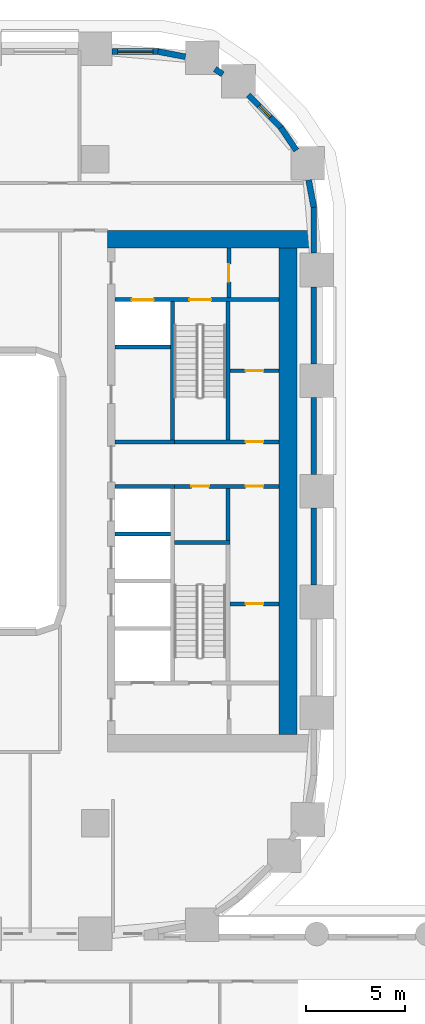
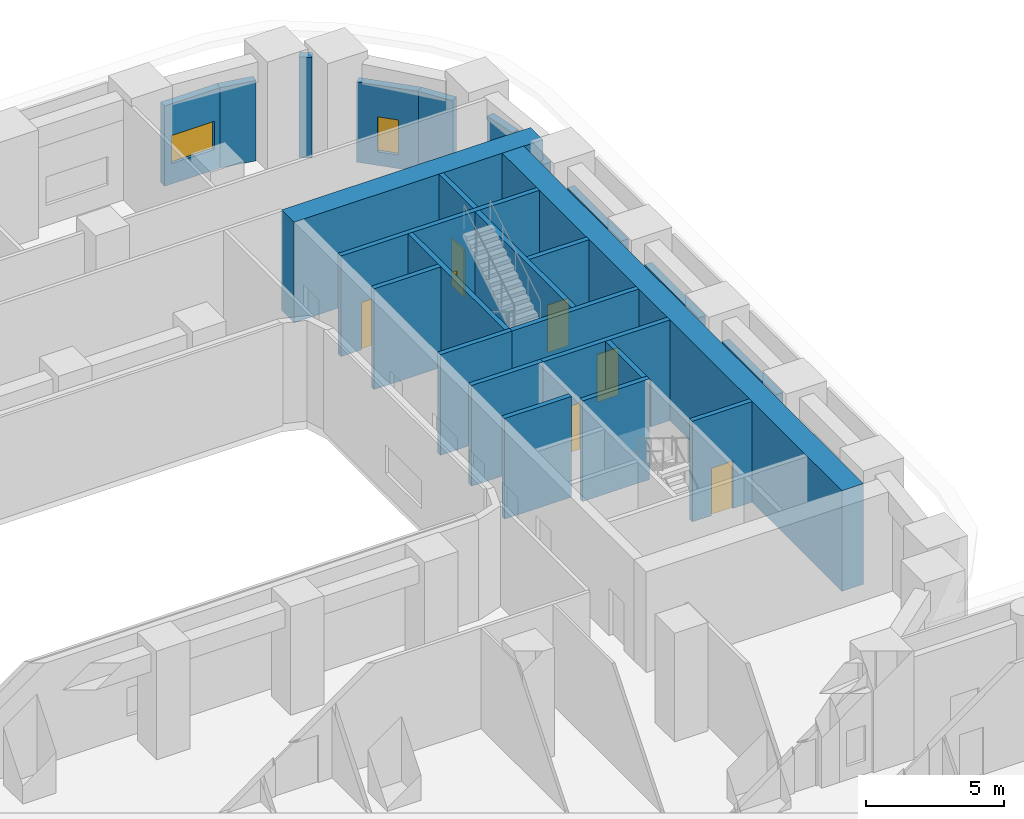
# One storey, part 15 of 27: 26 walls, 8 doors, 2 windows, 10 openings.
"""IFC4 building model written with IfcOpenShell, lengths in metres."""

from ifc_helpers import new_model, si_unit, direction, frame, frame_2d, origin, place, context, subcontext, project, spatial, rectangle, extrude, material, layer, layer_set, type_object, element, fill, save


model = new_model("IFC4")

# Units and contexts
model_context = context("Model", 3, precision=1e-05, world=origin(), true_north=direction((0.0, 1.0)))
body_context = subcontext(model_context, "Body", "Model", "MODEL_VIEW")
ifc_project = project(units=[si_unit("LENGTHUNIT", "METRE"), si_unit("AREAUNIT", "SQUARE_METRE"), si_unit("VOLUMEUNIT", "CUBIC_METRE"), si_unit("PLANEANGLEUNIT", "RADIAN"), si_unit("MASSUNIT", "GRAM", prefix="KILO")], contexts=[model_context])

# Site, building, storey
site_placement = place(None, origin())
site = spatial("IfcSite", under=ifc_project, at=site_placement, CompositionType="ELEMENT")
building_placement = place(site_placement, origin())
building = spatial("IfcBuilding", under=site, at=building_placement, Name="Kiln Ring Residences", CompositionType="ELEMENT")
storey_placement = place(building_placement, frame((0.0, 0.0, 6.5)))
storey = spatial("IfcBuildingStorey", under=building, at=storey_placement, Name="L01", CompositionType="ELEMENT", Elevation=6.5)

# Wall
ifc_material_1 = material(Name="Gypsum board on steel studs", Category="steel")
ifc_layer_1 = layer(ifc_material_1, 0.199951171875)
ifc_layer_set_1 = layer_set([ifc_layer_1], Name="CORE-PARTITION-200")
wall_type_1 = type_object("IfcWallType", Name="CORE-PARTITION-200", PredefinedType="PARTITIONING", material=ifc_layer_set_1)
wall_1_placement = place(storey_placement, frame((23.5, -2.5, 0.0), z_axis=(0.0, 0.0, 1.0), x_axis=(0.0, 1.0, 0.0)))
element("IfcWall", 1, at=wall_1_placement, inside=storey, type_object=wall_type_1, Name="Core partition east L01 1", PredefinedType="PARTITIONING", context=body_context, shape_type="SweptSolid", body=[
    extrude(rectangle(XDim=2.64990234375, YDim=0.199951171875, at=frame_2d((1.324951171875, 0.0))), origin(), (0.0, 0.0, 1.0), 4.449951171875),
])

# Wall, openings, doors
wall_2_placement = place(storey_placement, frame((20.800048828125, 0.25, 0.0), z_axis=(0.0, 0.0, 1.0), x_axis=(1.0, 0.0, 0.0)))
wall_2 = element("IfcWall", 2, at=wall_2_placement, inside=storey, type_object=wall_type_1, Name="Core partition east L01 2", PredefinedType="PARTITIONING", context=body_context, shape_type="SweptSolid", body=[
    extrude(rectangle(XDim=5.300048828125, YDim=0.199951171875, at=frame_2d((2.64990234375, 0.0))), origin(), (0.0, 0.0, 1.0), 4.449951171875),
])
opening_1_placement = place(wall_2_placement, frame((0.85009765625, 0.0, 0.0)))
opening_1 = element("IfcOpeningElement", 3, at=opening_1_placement, cuts=wall_2, Name="Opening L01-CE14", PredefinedType="OPENING", context=body_context, shape_type="SweptSolid", body=[
    extrude(rectangle(XDim=0.89990234375, YDim=2.10009765625, at=frame_2d((0.449951171875, 1.050048828125))), frame((0.0, 0.10986328125, 0.0), z_axis=(0.0, -1.0, 0.0), x_axis=(1.0, 0.0, 0.0)), (0.0, 0.0, 1.0), 0.219970703125),
])
opening_2_placement = place(wall_2_placement, frame((3.60009765625, 0.0, 0.0)))
opening_2 = element("IfcOpeningElement", 4, at=opening_2_placement, cuts=wall_2, Name="Opening L01-CE16", PredefinedType="OPENING", context=body_context, shape_type="SweptSolid", body=[
    extrude(rectangle(XDim=0.89990234375, YDim=2.10009765625, at=frame_2d((0.449951171875, 1.050048828125))), frame((0.0, 0.10986328125, 0.0), z_axis=(0.0, -1.0, 0.0), x_axis=(1.0, 0.0, 0.0)), (0.0, 0.0, 1.0), 0.219970703125),
])
ifc_material_2 = material(Name="Steel door leaf", Category="steel")
door_type_1 = type_object("IfcDoorType", Name="CORE-DOOR-ROOM", OperationType="SINGLE_SWING_LEFT", PredefinedType="DOOR", material=ifc_material_2)
door_1_placement = place(opening_1_placement, origin())
door_1 = element("IfcDoor", 5, at=door_1_placement, inside=storey, type_object=door_type_1, Name="Housekeeping store L01-CE14", OperationType="SINGLE_SWING_LEFT", OverallHeight=2.10009765625, OverallWidth=0.89990234375, PredefinedType="DOOR", context=body_context, shape_type="SweptSolid", body=[
    extrude(rectangle(XDim=0.89990234375, YDim=2.10009765625, at=frame_2d((0.449951171875, 1.050048828125))), frame((0.0, 0.02490234375, 0.0), z_axis=(0.0, -1.0, 0.0), x_axis=(1.0, 0.0, 0.0)), (0.0, 0.0, 1.0), 0.050048828125),
])
fill(opening_1, door_1)
door_2_placement = place(opening_2_placement, origin())
door_2 = element("IfcDoor", 6, at=door_2_placement, inside=storey, type_object=door_type_1, Name="Battery room L01-CE16", OperationType="SINGLE_SWING_LEFT", OverallHeight=2.10009765625, OverallWidth=0.89990234375, PredefinedType="DOOR", context=body_context, shape_type="SweptSolid", body=[
    extrude(rectangle(XDim=0.89990234375, YDim=2.10009765625, at=frame_2d((0.449951171875, 1.050048828125))), frame((0.0, 0.02490234375, 0.0), z_axis=(0.0, -1.0, 0.0), x_axis=(1.0, 0.0, 0.0)), (0.0, 0.0, 1.0), 0.050048828125),
])
fill(opening_2, door_2)

# Wall, opening, door
wall_3_placement = place(storey_placement, frame((23.550048828125, 9.800048828125, 0.0), z_axis=(0.0, 0.0, 1.0), x_axis=(0.0, 1.0, 0.0)))
wall_3 = element("IfcWall", 7, at=wall_3_placement, inside=storey, type_object=wall_type_1, Name="Core partition east L01 3", PredefinedType="PARTITIONING", context=body_context, shape_type="SweptSolid", body=[
    extrude(rectangle(XDim=2.5, YDim=0.199951171875, at=frame_2d((1.25, 0.0))), origin(), (0.0, 0.0, 1.0), 4.449951171875),
])
opening_3_placement = place(wall_3_placement, frame((0.800048828125, 0.0, 0.0)))
opening_3 = element("IfcOpeningElement", 8, at=opening_3_placement, cuts=wall_3, Name="Opening L01-CE09", PredefinedType="OPENING", context=body_context, shape_type="SweptSolid", body=[
    extrude(rectangle(XDim=0.89990234375, YDim=2.10009765625, at=frame_2d((0.449951171875, 1.050048828125))), frame((0.0, 0.10986328125, 0.0), z_axis=(0.0, -1.0, 0.0), x_axis=(1.0, 0.0, 0.0)), (0.0, 0.0, 1.0), 0.219970703125),
])
door_3_placement = place(opening_3_placement, origin())
door_3 = element("IfcDoor", 9, at=door_3_placement, inside=storey, type_object=door_type_1, Name="Fire riser room L01-CE09", OperationType="SINGLE_SWING_RIGHT", OverallHeight=2.10009765625, OverallWidth=0.89990234375, PredefinedType="DOOR", context=body_context, shape_type="SweptSolid", body=[
    extrude(rectangle(XDim=0.89990234375, YDim=2.10009765625, at=frame_2d((0.449951171875, 1.050048828125))), frame((0.0, 0.02490234375, 0.0), z_axis=(0.0, -1.0, 0.0), x_axis=(1.0, 0.0, 0.0)), (0.0, 0.0, 1.0), 0.050048828125),
])
fill(opening_3, door_3)

wall_4_placement = place(storey_placement, frame((23.60009765625, -5.699951171875, 0.0), z_axis=(0.0, 0.0, 1.0), x_axis=(1.0, 0.0, 0.0)))
wall_4 = element("IfcWall", 10, at=wall_4_placement, inside=storey, type_object=wall_type_1, Name="Core partition east L01 5", PredefinedType="PARTITIONING", context=body_context, shape_type="SweptSolid", body=[
    extrude(rectangle(XDim=2.5, YDim=0.199951171875, at=frame_2d((1.25, 0.0))), origin(), (0.0, 0.0, 1.0), 4.449951171875),
])
opening_4_placement = place(wall_4_placement, frame((0.800048828125, 0.0, 0.0)))
opening_4 = element("IfcOpeningElement", 11, at=opening_4_placement, cuts=wall_4, Name="Opening L01-CE15", PredefinedType="OPENING", context=body_context, shape_type="SweptSolid", body=[
    extrude(rectangle(XDim=0.89990234375, YDim=2.10009765625, at=frame_2d((0.449951171875, 1.050048828125))), frame((0.0, 0.10986328125, 0.0), z_axis=(0.0, -1.0, 0.0), x_axis=(1.0, 0.0, 0.0)), (0.0, 0.0, 1.0), 0.219970703125),
])
door_4_placement = place(opening_4_placement, origin())
door_4 = element("IfcDoor", 12, at=door_4_placement, inside=storey, type_object=door_type_1, Name="Battery room L01-CE15", OperationType="SINGLE_SWING_LEFT", OverallHeight=2.10009765625, OverallWidth=0.89990234375, PredefinedType="DOOR", context=body_context, shape_type="SweptSolid", body=[
    extrude(rectangle(XDim=0.89990234375, YDim=2.10009765625, at=frame_2d((0.449951171875, 1.050048828125))), frame((0.0, 0.02490234375, 0.0), z_axis=(0.0, -1.0, 0.0), x_axis=(1.0, 0.0, 0.0)), (0.0, 0.0, 1.0), 0.050048828125),
])
fill(opening_4, door_4)

wall_5_placement = place(storey_placement, frame((23.60009765625, 6.10009765625, 0.0), z_axis=(0.0, 0.0, 1.0), x_axis=(1.0, 0.0, 0.0)))
wall_5 = element("IfcWall", 13, at=wall_5_placement, inside=storey, type_object=wall_type_1, Name="Core partition east L01 6", PredefinedType="PARTITIONING", context=body_context, shape_type="SweptSolid", body=[
    extrude(rectangle(XDim=2.5, YDim=0.199951171875, at=frame_2d((1.25, 0.0))), origin(), (0.0, 0.0, 1.0), 4.449951171875),
])
opening_5_placement = place(wall_5_placement, frame((0.800048828125, 0.0, 0.0)))
opening_5 = element("IfcOpeningElement", 14, at=opening_5_placement, cuts=wall_5, Name="Opening L01-CE17", PredefinedType="OPENING", context=body_context, shape_type="SweptSolid", body=[
    extrude(rectangle(XDim=0.89990234375, YDim=2.10009765625, at=frame_2d((0.449951171875, 1.050048828125))), frame((0.0, 0.10986328125, 0.0), z_axis=(0.0, -1.0, 0.0), x_axis=(1.0, 0.0, 0.0)), (0.0, 0.0, 1.0), 0.219970703125),
])
door_5_placement = place(opening_5_placement, origin())
door_5 = element("IfcDoor", 15, at=door_5_placement, inside=storey, type_object=door_type_1, Name="Electrical plant room L01-CE17", OperationType="SINGLE_SWING_LEFT", OverallHeight=2.10009765625, OverallWidth=0.89990234375, PredefinedType="DOOR", context=body_context, shape_type="SweptSolid", body=[
    extrude(rectangle(XDim=0.89990234375, YDim=2.10009765625, at=frame_2d((0.449951171875, 1.050048828125))), frame((0.0, 0.02490234375, 0.0), z_axis=(0.0, -1.0, 0.0), x_axis=(1.0, 0.0, 0.0)), (0.0, 0.0, 1.0), 0.050048828125),
])
fill(opening_5, door_5)

# Walls
ifc_material_3 = material(Name="Gypsum shaft wall system")
ifc_layer_2 = layer(ifc_material_3, 0.199951171875)
ifc_layer_set_2 = layer_set([ifc_layer_2], Name="CORE-SHAFT-WALL-200")
wall_type_2 = type_object("IfcWallType", Name="CORE-SHAFT-WALL-200", PredefinedType="PARTITIONING", material=ifc_layer_set_2)
wall_6_placement = place(storey_placement, frame((17.800048828125, -2.14990234375, 0.0), z_axis=(0.0, 0.0, 1.0), x_axis=(1.0, 0.0, 0.0)))
element("IfcWall", 16, at=wall_6_placement, inside=storey, type_object=wall_type_2, Name="Core partition east L01 9", PredefinedType="PARTITIONING", context=body_context, shape_type="SweptSolid", body=[
    extrude(rectangle(XDim=2.800048828125, YDim=0.199951171875, at=frame_2d((1.39990234375, 0.0))), origin(), (0.0, 0.0, 1.0), 4.449951171875),
])
for number, where, z_axis, x_axis, name in (
    (17, (17.800048828125, 0.25, 0.0), (0.0, 0.0, 1.0), (1.0, 0.0, 0.0), "Core partition east L01 10"),
    (18, (17.800048828125, 2.5, 0.0), (0.0, 0.0, 1.0), (1.0, 0.0, 0.0), "Core partition east L01 11"),
):
    element("IfcWall", number, at=place(storey_placement, frame(where, z_axis=z_axis, x_axis=x_axis)), inside=storey, type_object=wall_type_2, Name=name, PredefinedType="PARTITIONING", context=body_context, shape_type="SweptSolid", body=[
        extrude(rectangle(XDim=3.0, YDim=0.199951171875, at=frame_2d((1.5, 0.0))), origin(), (0.0, 0.0, 1.0), 4.449951171875),
    ])
wall_7_placement = place(storey_placement, frame((17.800048828125, 7.300048828125, 0.0), z_axis=(0.0, 0.0, 1.0), x_axis=(1.0, 0.0, 0.0)))
element("IfcWall", 19, at=wall_7_placement, inside=storey, type_object=wall_type_2, Name="Core partition east L01 12", PredefinedType="PARTITIONING", context=body_context, shape_type="SweptSolid", body=[
    extrude(rectangle(XDim=2.800048828125, YDim=0.199951171875, at=frame_2d((1.39990234375, 0.0))), origin(), (0.0, 0.0, 1.0), 4.449951171875),
])
ifc_material_4 = material(Name="Concrete C40/50", Category="concrete")
ifc_layer_3 = layer(ifc_material_4, 0.199951171875)
ifc_layer_set_3 = layer_set([ifc_layer_3], Name="CORE-WALL-RC200")
wall_type_3 = type_object("IfcWallType", Name="CORE-WALL-RC200", PredefinedType="SHEAR", material=ifc_layer_set_3)
wall_8_placement = place(storey_placement, frame((20.699951171875, 2.60009765625, 0.0), z_axis=(0.0, 0.0, 1.0), x_axis=(0.0, 1.0, 0.0)))
element("IfcWall", 20, at=wall_8_placement, inside=storey, type_object=wall_type_3, Name="Core wall east L01 1", PredefinedType="SHEAR", context=body_context, shape_type="SweptSolid", body=[
    extrude(rectangle(XDim=7.0, YDim=0.199951171875, at=frame_2d((3.5, 0.0))), origin(), (0.0, 0.0, 1.0), 4.449951171875),
])

# Wall, opening, door
wall_9_placement = place(storey_placement, frame((20.800048828125, 2.5, 0.0), z_axis=(0.0, 0.0, 1.0), x_axis=(1.0, 0.0, 0.0)))
wall_9 = element("IfcWall", 21, at=wall_9_placement, inside=storey, type_object=wall_type_3, Name="Core wall east L01 3", PredefinedType="SHEAR", context=body_context, shape_type="SweptSolid", body=[
    extrude(rectangle(XDim=5.300048828125, YDim=0.199951171875, at=frame_2d((2.64990234375, 0.0))), origin(), (0.0, 0.0, 1.0), 4.449951171875),
])
opening_6_placement = place(wall_9_placement, frame((3.60009765625, 0.0, 0.0)))
opening_6 = element("IfcOpeningElement", 22, at=opening_6_placement, cuts=wall_9, Name="Opening L01-CE18", PredefinedType="OPENING", context=body_context, shape_type="SweptSolid", body=[
    extrude(rectangle(XDim=0.89990234375, YDim=2.10009765625, at=frame_2d((0.449951171875, 1.050048828125))), frame((0.0, 0.10986328125, 0.0), z_axis=(0.0, -1.0, 0.0), x_axis=(1.0, 0.0, 0.0)), (0.0, 0.0, 1.0), 0.219970703125),
])
door_6_placement = place(opening_6_placement, origin())
door_6 = element("IfcDoor", 23, at=door_6_placement, inside=storey, type_object=door_type_1, Name="Comms room L01-CE18", OperationType="SINGLE_SWING_RIGHT", OverallHeight=2.10009765625, OverallWidth=0.89990234375, PredefinedType="DOOR", context=body_context, shape_type="SweptSolid", body=[
    extrude(rectangle(XDim=0.89990234375, YDim=2.10009765625, at=frame_2d((0.449951171875, 1.050048828125))), frame((0.0, 0.02490234375, 0.0), z_axis=(0.0, -1.0, 0.0), x_axis=(1.0, 0.0, 0.0)), (0.0, 0.0, 1.0), 0.050048828125),
])
fill(opening_6, door_6)

# Wall, openings, doors
wall_10_placement = place(storey_placement, frame((17.800048828125, 9.699951171875, 0.0), z_axis=(0.0, 0.0, 1.0), x_axis=(1.0, 0.0, 0.0)))
wall_10 = element("IfcWall", 24, at=wall_10_placement, inside=storey, type_object=wall_type_3, Name="Core wall east L01 9", PredefinedType="SHEAR", context=body_context, shape_type="SweptSolid", body=[
    extrude(rectangle(XDim=8.300048828125, YDim=0.199951171875, at=frame_2d((4.14990234375, 0.0))), origin(), (0.0, 0.0, 1.0), 4.449951171875),
])
opening_7_placement = place(wall_10_placement, frame((0.85009765625, 0.0, 0.0)))
opening_7 = element("IfcOpeningElement", 25, at=opening_7_placement, cuts=wall_10, Name="Opening L01-CE06", PredefinedType="OPENING", context=body_context, shape_type="SweptSolid", body=[
    extrude(rectangle(XDim=1.10009765625, YDim=2.10009765625, at=frame_2d((0.550048828125, 1.050048828125))), frame((0.0, 0.10986328125, 0.0), z_axis=(0.0, -1.0, 0.0), x_axis=(1.0, 0.0, 0.0)), (0.0, 0.0, 1.0), 0.219970703125),
])
opening_8_placement = place(wall_10_placement, frame((3.75, 0.0, 0.0)))
opening_8 = element("IfcOpeningElement", 26, at=opening_8_placement, cuts=wall_10, Name="Opening L01-CE11", PredefinedType="OPENING", context=body_context, shape_type="SweptSolid", body=[
    extrude(rectangle(XDim=1.10009765625, YDim=2.10009765625, at=frame_2d((0.550048828125, 1.050048828125))), frame((0.0, 0.10986328125, 0.0), z_axis=(0.0, -1.0, 0.0), x_axis=(1.0, 0.0, 0.0)), (0.0, 0.0, 1.0), 0.219970703125),
])
ifc_material_5 = material(Name="Steel door leaf", Category="steel")
door_type_2 = type_object("IfcDoorType", Name="CORE-DOOR-LD", OperationType="DOUBLE_DOOR_SLIDING", PredefinedType="DOOR", material=ifc_material_5)
door_7_placement = place(opening_7_placement, origin())
door_7 = element("IfcDoor", 27, at=door_7_placement, inside=storey, type_object=door_type_2, Name="LD E-FF L01-CE06", OperationType="DOUBLE_DOOR_SLIDING", OverallHeight=2.10009765625, OverallWidth=1.10009765625, PredefinedType="DOOR", context=body_context, shape_type="SweptSolid", body=[
    extrude(rectangle(XDim=1.10009765625, YDim=2.10009765625, at=frame_2d((0.550048828125, 1.050048828125))), frame((0.0, 0.02490234375, 0.0), z_axis=(0.0, -1.0, 0.0), x_axis=(1.0, 0.0, 0.0)), (0.0, 0.0, 1.0), 0.050048828125),
])
fill(opening_7, door_7)
ifc_material_6 = material(Name="Steel door leaf", Category="steel")
door_type_3 = type_object("IfcDoorType", Name="CORE-DOOR-STAIR", OperationType="SINGLE_SWING_LEFT", PredefinedType="DOOR", material=ifc_material_6)
door_8_placement = place(opening_8_placement, origin())
door_8 = element("IfcDoor", 28, at=door_8_placement, inside=storey, type_object=door_type_3, Name="Stair E-STN L01-CE11", OperationType="SINGLE_SWING_RIGHT", OverallHeight=2.10009765625, OverallWidth=1.10009765625, PredefinedType="DOOR", context=body_context, shape_type="SweptSolid", body=[
    extrude(rectangle(XDim=1.10009765625, YDim=2.10009765625, at=frame_2d((0.550048828125, 1.050048828125))), frame((0.0, 0.02490234375, 0.0), z_axis=(0.0, -1.0, 0.0), x_axis=(1.0, 0.0, 0.0)), (0.0, 0.0, 1.0), 0.050048828125),
])
fill(opening_8, door_8)

# Walls
wall_11_placement = place(storey_placement, frame((23.5, 2.60009765625, 0.0), z_axis=(0.0, 0.0, 1.0), x_axis=(0.0, 1.0, 0.0)))
element("IfcWall", 29, at=wall_11_placement, inside=storey, type_object=wall_type_3, Name="Core wall east L01 10", PredefinedType="SHEAR", context=body_context, shape_type="SweptSolid", body=[
    extrude(rectangle(XDim=7.0, YDim=0.199951171875, at=frame_2d((3.5, 0.0))), origin(), (0.0, 0.0, 1.0), 4.449951171875),
])
wall_12_placement = place(storey_placement, frame((20.800048828125, -2.60009765625, 0.0), z_axis=(0.0, 0.0, 1.0), x_axis=(1.0, 0.0, 0.0)))
element("IfcWall", 30, at=wall_12_placement, inside=storey, type_object=wall_type_3, Name="Core wall east L01 12", PredefinedType="SHEAR", context=body_context, shape_type="SweptSolid", body=[
    extrude(rectangle(XDim=2.800048828125, YDim=0.199951171875, at=frame_2d((1.39990234375, 0.0))), origin(), (0.0, 0.0, 1.0), 4.449951171875),
])
ifc_material_7 = material(Name="Concrete C60/75", Category="concrete")
ifc_layer_4 = layer(ifc_material_7, 0.89990234375)
ifc_layer_set_4 = layer_set([ifc_layer_4], Name="CORE-WALL-RC900")
wall_type_4 = type_object("IfcWallType", Name="CORE-WALL-RC900", PredefinedType="SHEAR", material=ifc_layer_set_4)
wall_13_placement = place(storey_placement, frame((17.39990234375, 12.75, 0.0), z_axis=(0.0, 0.0, 1.0), x_axis=(1.0, 0.0, 0.0)))
element("IfcWall", 31, at=wall_13_placement, inside=storey, type_object=wall_type_4, Name="Core wall east L01 4", PredefinedType="SHEAR", context=body_context, shape_type="SweptSolid", body=[
    extrude(rectangle(XDim=10.400146484375, YDim=0.89990234375, at=frame_2d((5.2001953125, 0.0))), origin(), (0.0, 0.0, 1.0), 4.449951171875),
])
wall_14_placement = place(storey_placement, frame((26.550048828125, -12.300048828125, 0.0), z_axis=(0.0, 0.0, 1.0), x_axis=(0.0, 1.0, 0.0)))
element("IfcWall", 32, at=wall_14_placement, inside=storey, type_object=wall_type_4, Name="Core wall east L01 7", PredefinedType="SHEAR", context=body_context, shape_type="SweptSolid", body=[
    extrude(rectangle(XDim=24.60009765625, YDim=0.89990234375, at=frame_2d((12.300048828125, 0.0))), origin(), (0.0, 0.0, 1.0), 4.449951171875),
])
ifc_material_8 = material(Name="Brick masonry, dark clay brick", Category="masonry")
ifc_layer_5 = layer(ifc_material_8, 0.300048828125)
ifc_layer_set_5 = layer_set([ifc_layer_5], Name="EW-300 BRICK WALL")
wall_type_5 = type_object("IfcWallType", Name="EW-300 BRICK WALL", PredefinedType="SOLIDWALL", material=ifc_layer_set_5)
for number, where, z_axis, x_axis, name in (
    (33, (27.85009765625, -4.75, 0.0), (0.0, 0.0, 1.0), (0.0, 1.0, 0.0), "Facade wall L01 18"),
    (34, (27.85009765625, 0.85009765625, 0.0), (0.0, 0.0, 1.0), (0.0, 1.0, 0.0), "Facade wall L01 19"),
):
    element("IfcWall", number, at=place(storey_placement, frame(where, z_axis=z_axis, x_axis=x_axis)), inside=storey, type_object=wall_type_5, Name=name, PredefinedType="SOLIDWALL", context=body_context, shape_type="SweptSolid", body=[
        extrude(rectangle(XDim=3.89990234375, YDim=0.300048828125, at=frame_2d((1.949951171875, 0.0))), origin(), (0.0, 0.0, 1.0), 3.550048828125),
    ])
wall_15_placement = place(storey_placement, frame((27.85009765625, 6.449951171875, 0.0), z_axis=(0.0, 0.0, 1.0), x_axis=(0.0, 1.0, 0.0)))
element("IfcWall", 35, at=wall_15_placement, inside=storey, type_object=wall_type_5, Name="Facade wall L01 20", PredefinedType="SOLIDWALL", context=body_context, shape_type="SweptSolid", body=[
    extrude(rectangle(XDim=3.900146484375, YDim=0.300048828125, at=frame_2d((1.9501953125, 0.0))), origin(), (0.0, 0.0, 1.0), 3.550048828125),
])
wall_16_placement = place(storey_placement, frame((27.85009765625, 12.050048828125, 0.0), z_axis=(0.0, 0.0, 1.0), x_axis=(0.0, 1.0, 0.0)))
element("IfcWall", 36, at=wall_16_placement, inside=storey, type_object=wall_type_5, Name="Facade wall L01 21", PredefinedType="SOLIDWALL", context=body_context, shape_type="SweptSolid", body=[
    extrude(rectangle(XDim=2.349853515625, YDim=0.300048828125, at=frame_2d((1.1748046875, 0.0))), origin(), (0.0, 0.0, 1.0), 3.550048828125),
])
for number, where, z_axis, x_axis, name in (
    (37, (27.8525390625, 14.371826171875, 0.0), (0.0, 0.0, 1.0), (-0.187327504018, 0.982297514116, 0.0), "Facade wall L01 22"),
    (38, (26.96923828125, 17.249755859375, 0.0), (0.0, 0.0, 1.0), (-0.562010802008, 0.827129892112, 0.0), "Facade wall L01 23"),
):
    element("IfcWall", number, at=place(storey_placement, frame(where, z_axis=z_axis, x_axis=x_axis)), inside=storey, type_object=wall_type_5, Name=name, PredefinedType="SOLIDWALL", context=body_context, shape_type="SweptSolid", body=[
        extrude(rectangle(XDim=1.40625, YDim=0.300048828125, at=frame_2d((0.703125, 0.0))), origin(), (0.0, 0.0, 1.0), 3.550048828125),
    ])

# Wall, opening, window
wall_17_placement = place(storey_placement, frame((26.19677734375, 18.390869140625, 0.0), z_axis=(0.0, 0.0, 1.0), x_axis=(-0.707054835785, 0.707158722772, 0.0)))
wall_17 = element("IfcWall", 39, at=wall_17_placement, inside=storey, type_object=wall_type_5, Name="Facade wall L01 24", PredefinedType="SOLIDWALL", context=body_context, shape_type="SweptSolid", body=[
    extrude(rectangle(XDim=2.35009765625, YDim=0.300048828125, at=frame_2d((1.175048828125, 0.0))), origin(), (0.0, 0.0, 1.0), 3.550048828125),
])
opening_9_placement = place(wall_17_placement, frame((0.77490234375, 0.0, 0.60009765625)))
opening_9 = element("IfcOpeningElement", 40, at=opening_9_placement, cuts=wall_17, Name="Opening W5", PredefinedType="OPENING", context=body_context, shape_type="SweptSolid", body=[
    extrude(rectangle(XDim=0.800048828125, YDim=1.550048828125, at=frame_2d((0.39990234375, 0.77490234375))), frame((0.0, 0.159912109375, 0.0), z_axis=(0.0, -1.0, 0.0), x_axis=(1.0, 0.0, 0.0)), (0.0, 0.0, 1.0), 0.320068359375),
])
ifc_material_9 = material(Name="Aluminium frame with double glazing", Category="aluminium")
window_type_1 = type_object("IfcWindowType", Name="WINDOW 800 x 1550", PartitioningType="SINGLE_PANEL", PredefinedType="WINDOW", material=ifc_material_9)
window_1_placement = place(opening_9_placement, origin())
window_1 = element("IfcWindow", 41, at=window_1_placement, inside=storey, type_object=window_type_1, Name="Window L01 12", OverallHeight=1.550048828125, OverallWidth=0.800048828125, PartitioningType="SINGLE_PANEL", PredefinedType="WINDOW", context=body_context, shape_type="SweptSolid", body=[
    extrude(rectangle(XDim=0.800048828125, YDim=1.550048828125, at=frame_2d((0.39990234375, 0.77490234375))), frame((0.0, 0.030029296875, 0.0), z_axis=(0.0, -1.0, 0.0), x_axis=(1.0, 0.0, 0.0)), (0.0, 0.0, 1.0), 0.06005859375),
])
fill(opening_9, window_1)

# Walls
wall_18_placement = place(storey_placement, frame((23.244384765625, 21.10107421875, 0.0), z_axis=(0.0, 0.0, 1.0), x_axis=(-0.827135885329, 0.562001981492, 0.0)))
element("IfcWall", 42, at=wall_18_placement, inside=storey, type_object=wall_type_5, Name="Facade wall L01 25", PredefinedType="SOLIDWALL", context=body_context, shape_type="SweptSolid", body=[
    extrude(rectangle(XDim=0.47705078125, YDim=0.300048828125, at=frame_2d((0.238525390625, 0.0))), origin(), (0.0, 0.0, 1.0), 4.449951171875),
])
wall_19_placement = place(storey_placement, frame((21.35302734375, 21.9892578125, 0.0), z_axis=(0.0, 0.0, 1.0), x_axis=(-0.98229142023, 0.187359455971, 0.0)))
element("IfcWall", 43, at=wall_19_placement, inside=storey, type_object=wall_type_5, Name="Facade wall L01 26", PredefinedType="SOLIDWALL", context=body_context, shape_type="SweptSolid", body=[
    extrude(rectangle(XDim=1.406005859375, YDim=0.300048828125, at=frame_2d((0.703125, 0.0))), origin(), (0.0, 0.0, 1.0), 3.550048828125),
])

# Wall, opening, window
wall_20_placement = place(storey_placement, frame((20.0, 22.25, 0.0), z_axis=(0.0, 0.0, 1.0), x_axis=(-1.0, 0.0, 0.0)))
wall_20 = element("IfcWall", 44, at=wall_20_placement, inside=storey, type_object=wall_type_5, Name="Facade wall L01 27", PredefinedType="SOLIDWALL", context=body_context, shape_type="SweptSolid", body=[
    extrude(rectangle(XDim=2.35009765625, YDim=0.300048828125, at=frame_2d((1.175048828125, 0.0))), origin(), (0.0, 0.0, 1.0), 3.550048828125),
])
opening_10_placement = place(wall_20_placement, frame((0.27490234375, 0.0, 0.89990234375)))
opening_10 = element("IfcOpeningElement", 45, at=opening_10_placement, cuts=wall_20, Name="Opening W2", PredefinedType="OPENING", context=body_context, shape_type="SweptSolid", body=[
    extrude(rectangle(XDim=1.800048828125, YDim=1.25, at=frame_2d((0.89990234375, 0.625))), frame((0.0, 0.159912109375, 0.0), z_axis=(0.0, -1.0, 0.0), x_axis=(1.0, 0.0, 0.0)), (0.0, 0.0, 1.0), 0.320068359375),
])
ifc_material_10 = material(Name="Aluminium frame with double glazing", Category="aluminium")
window_type_2 = type_object("IfcWindowType", Name="WINDOW 1800 x 1250", PartitioningType="SINGLE_PANEL", PredefinedType="WINDOW", material=ifc_material_10)
window_2_placement = place(opening_10_placement, origin())
window_2 = element("IfcWindow", 46, at=window_2_placement, inside=storey, type_object=window_type_2, Name="Window L01 13", OverallHeight=1.25, OverallWidth=1.800048828125, PartitioningType="SINGLE_PANEL", PredefinedType="WINDOW", context=body_context, shape_type="SweptSolid", body=[
    extrude(rectangle(XDim=1.800048828125, YDim=1.25, at=frame_2d((0.89990234375, 0.625))), frame((0.0, 0.030029296875, 0.0), z_axis=(0.0, -1.0, 0.0), x_axis=(1.0, 0.0, 0.0)), (0.0, 0.0, 1.0), 0.06005859375),
])
fill(opening_10, window_2)

save(model, "model.ifc")
